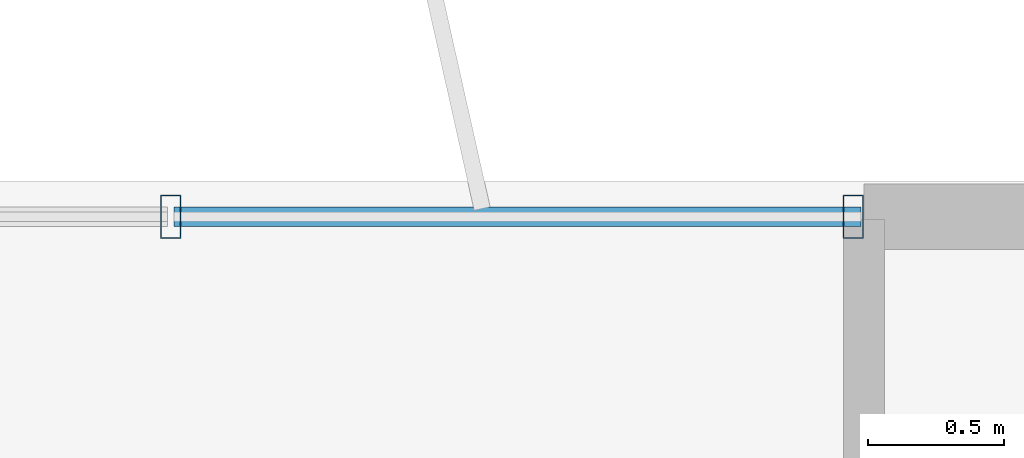
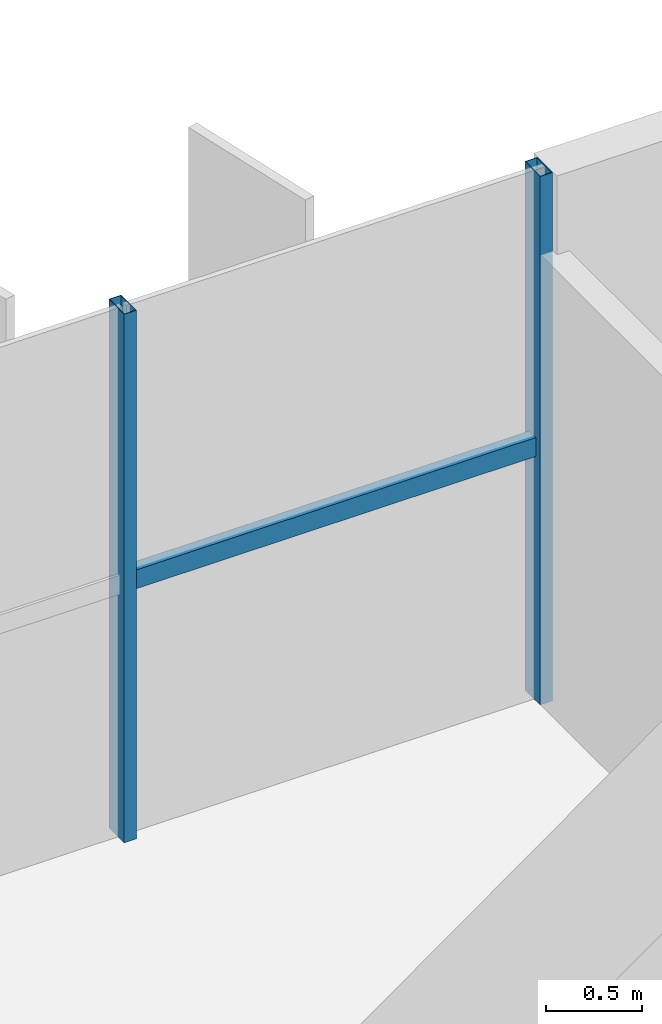
# One storey, part 14 of 23: 3 members, 1 element without a shape of its own.
"""IFC4 building model written with IfcOpenShell, lengths in metres."""

from ifc_helpers import new_model, si_unit, direction, frame, origin, origin_2d, place, context, subcontext, project, spatial, hollow_rectangle, extrude, source, transform, mapped, material, material_profile, profile_set, type_object, element, aggregate, save


model = new_model("IFC4")

# Units and contexts
model_context = context("Model", 3, precision=1e-05, world=origin(), true_north=direction((0.0, 1.0)))
body_context = subcontext(model_context, "Body", "Model", "MODEL_VIEW")
ifc_project = project(units=[si_unit("LENGTHUNIT", "METRE"), si_unit("AREAUNIT", "SQUARE_METRE"), si_unit("VOLUMEUNIT", "CUBIC_METRE"), si_unit("PLANEANGLEUNIT", "RADIAN"), si_unit("MASSUNIT", "GRAM", prefix="KILO")], contexts=[model_context])

# Site, building, storey
site_placement = place(None, origin())
site = spatial("IfcSite", under=ifc_project, at=site_placement, CompositionType="ELEMENT")
building_placement = place(site_placement, origin())
building = spatial("IfcBuilding", under=site, at=building_placement, Name="Trelvane Seafront Commons", CompositionType="ELEMENT")
storey_placement = place(building_placement, frame((0.0, 0.0, 219.300048828125)))
storey = spatial("IfcBuildingStorey", under=building, at=storey_placement, Name="L57", CompositionType="ELEMENT", Elevation=219.300048828125)

# Curtain wall, members
ifc_material = material(Name="Anodised pale-silver aluminium", Category="aluminium")
curtain_wall_type = type_object("IfcCurtainWallType", Name="ARCH-CW5-UPTOWER", PredefinedType="NOTDEFINED", material=ifc_material)
curtain_wall_placement = place(storey_placement, origin())
curtain_wall = element("IfcCurtainWall", 1, at=curtain_wall_placement, inside=storey, type_object=curtain_wall_type, Name="CW-L57-0100", PredefinedType="NOTDEFINED")
ifc_material_profile_1 = material_profile(ifc_material, hollow_rectangle(XDim=0.070068359375, YDim=0.1201171875, WallThickness=0.00390625, at=origin_2d()), Name="TRAN-70x120x4")
ifc_profile_set_1 = profile_set([ifc_material_profile_1], Name="Anodised pale-silver aluminium")
member_type_1 = type_object("IfcMemberType", Name="ARCH-CW-TRAN-120", PredefinedType="USERDEFINED", material=ifc_profile_set_1)
shared_shape_1 = source(origin(), body_context, "Body", "SweptSolid", [
    extrude(hollow_rectangle(XDim=0.070068359375, YDim=0.1201171875, WallThickness=0.00390625, at=origin_2d()), origin(), (0.0, 0.0, 1.0), 2.517333984375),
])
member_1_placement = place(storey_placement, frame((56.270751953125, 48.3701171875, 1.613037109375), z_axis=(1.0, 0.0, 0.0), x_axis=(0.0, 1.0, 0.0)))
member_1 = element("IfcMember", 2, at=member_1_placement, type_object=member_type_1, Name="CW-L57-0100-T16", ObjectType="TRANSOM", PredefinedType="USERDEFINED", context=body_context, shape_type="MappedRepresentation", body=[
    mapped(shared_shape_1, transform((0.0, 0.0, 0.0), x_axis=(1.0, 0.0, 0.0), y_axis=(0.0, 1.0, 0.0), z_axis=(0.0, 0.0, 1.0), scale=1.0)),
])
ifc_material_profile_2 = material_profile(ifc_material, hollow_rectangle(XDim=0.074951171875, YDim=0.159912109375, WallThickness=0.00390625, at=origin_2d()), Name="MULL-75x160x4")
ifc_profile_set_2 = profile_set([ifc_material_profile_2], Name="Anodised pale-silver aluminium")
member_type_2 = type_object("IfcMemberType", Name="ARCH-CW-MULL-160", PredefinedType="MULLION", material=ifc_profile_set_2)
shared_shape_2 = source(origin(), body_context, "Body", "SweptSolid", [
    extrude(hollow_rectangle(XDim=0.074951171875, YDim=0.159912109375, WallThickness=0.00390625, at=origin_2d()), origin(), (0.0, 0.0, 1.0), 3.35986328125),
])
member_2_placement = place(storey_placement, frame((56.2587890625, 48.3701171875, 0.0), z_axis=(0.0, 0.0, 1.0), x_axis=(1.0, 0.0, 0.0)))
member_2 = element("IfcMember", 3, at=member_2_placement, type_object=member_type_2, Name="CW-L57-0100-M16", PredefinedType="MULLION", context=body_context, shape_type="MappedRepresentation", body=[
    mapped(shared_shape_2, transform((0.0, 0.0, 0.0), x_axis=(1.0, 0.0, 0.0), y_axis=(0.0, 1.0, 0.0), z_axis=(0.0, 0.0, 1.0), scale=1.0)),
])
member_3_placement = place(storey_placement, frame((58.760009765625, 48.3701171875, 0.0), z_axis=(0.0, 0.0, 1.0), x_axis=(1.0, 0.0, 0.0)))
member_3 = element("IfcMember", 4, at=member_3_placement, type_object=member_type_2, Name="CW-L57-0100-M17", PredefinedType="MULLION", context=body_context, shape_type="MappedRepresentation", body=[
    mapped(shared_shape_2, transform((0.0, 0.0, 0.0), x_axis=(1.0, 0.0, 0.0), y_axis=(0.0, 1.0, 0.0), z_axis=(0.0, 0.0, 1.0), scale=1.0)),
])
aggregate(curtain_wall, [member_2, member_3, member_1])

save(model, "model.ifc")
